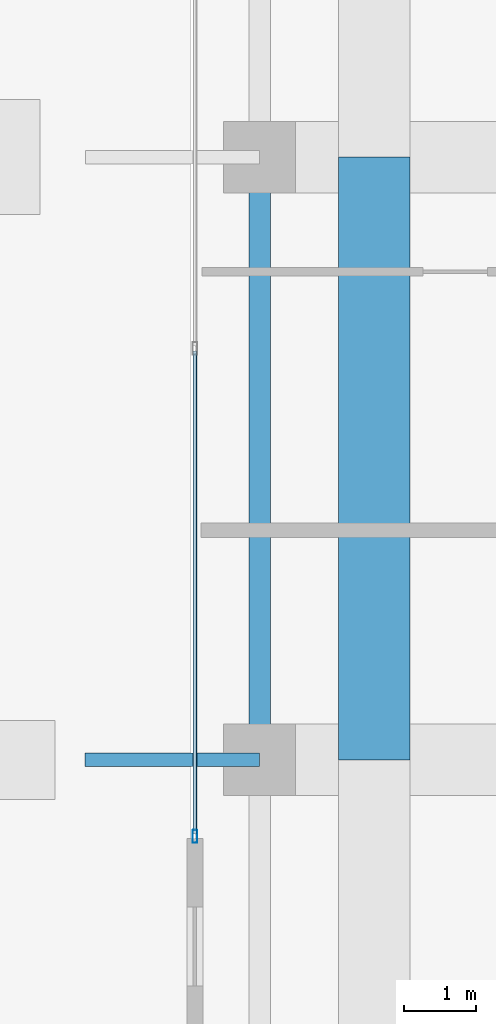
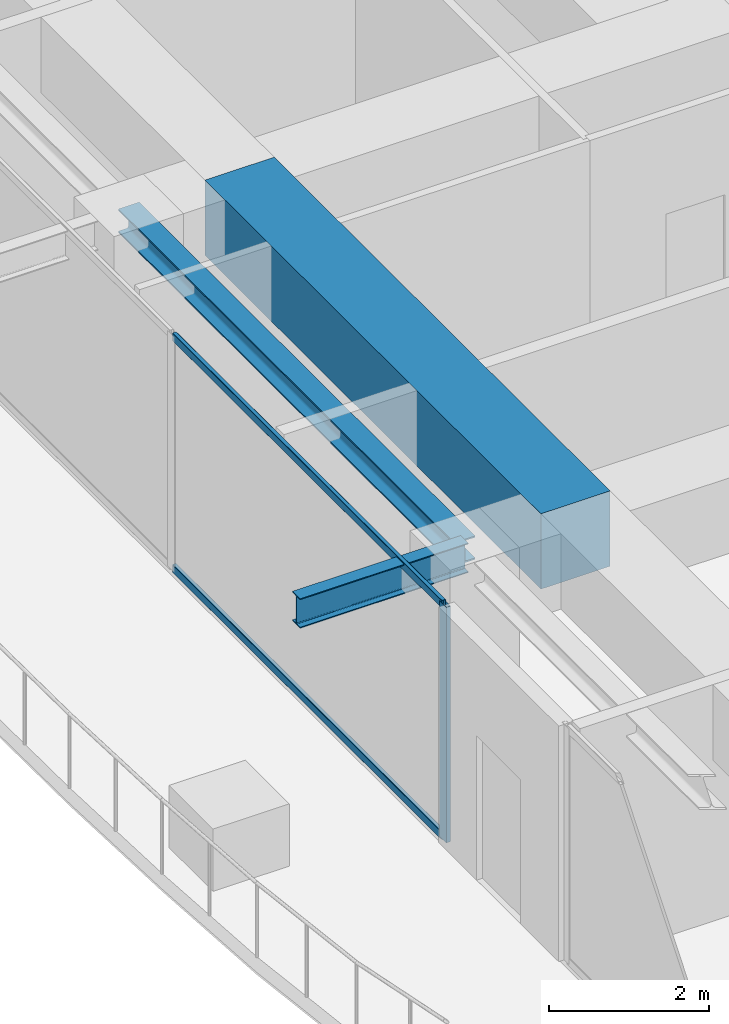
# One storey, part 9 of 40: 3 beams, 3 members, 1 element without a shape of its own.
"""IFC4 building model written with IfcOpenShell, lengths in metres."""

from ifc_helpers import new_model, si_unit, direction, frame, origin, origin_2d, place, context, subcontext, project, spatial, rectangle, hollow_rectangle, i_section, extrude, source, transform, mapped, material, layer, layer_set, material_profile, profile_set, type_object, element, aggregate, save


model = new_model("IFC4")

# Units and contexts
model_context = context("Model", 3, precision=1e-05, world=origin(), true_north=direction((0.0, 1.0)))
body_context = subcontext(model_context, "Body", "Model", "MODEL_VIEW")
ifc_project = project(units=[si_unit("LENGTHUNIT", "METRE"), si_unit("AREAUNIT", "SQUARE_METRE"), si_unit("VOLUMEUNIT", "CUBIC_METRE"), si_unit("PLANEANGLEUNIT", "RADIAN"), si_unit("MASSUNIT", "GRAM", prefix="KILO")], contexts=[model_context])

# Site, building, storey
site_placement = place(None, origin())
site = spatial("IfcSite", under=ifc_project, at=site_placement, CompositionType="ELEMENT")
building_placement = place(site_placement, origin())
building = spatial("IfcBuilding", under=site, at=building_placement, Name="Serunith Strait Residences", CompositionType="ELEMENT")
storey_placement = place(building_placement, frame((0.0, 0.0, 333.949951171875)))
storey = spatial("IfcBuildingStorey", under=building, at=storey_placement, Name="L83", CompositionType="ELEMENT", Elevation=333.949951171875)

# Beams
ifc_material_1 = material(Name="Concrete C80/95", Category="concrete")
ifc_material_profile_1 = material_profile(ifc_material_1, rectangle(XDim=1.0, YDim=1.14990234375, at=origin_2d()), Name="RC 1000x1150")
ifc_profile_set_1 = profile_set([ifc_material_profile_1], Name="Concrete C80/95")
beam_type_1 = type_object("IfcBeamType", Name="BM-XFER-1000x1150", PredefinedType="BEAM", material=ifc_profile_set_1)
shared_shape_1 = source(origin(), body_context, "Body", "SweptSolid", [
    extrude(rectangle(XDim=1.0, YDim=1.14990234375, at=origin_2d()), origin(), (0.0, 0.0, 1.0), 8.39990234375),
])
beam_1_placement = place(storey_placement, frame((11.699951171875, 29.39990234375, 3.03515625), z_axis=(0.0, -1.0, 0.0), x_axis=(1.0, 0.0, 0.0)))
element("IfcBeam", 1, at=beam_1_placement, inside=storey, type_object=beam_type_1, Name="L83 Flare Upper Ring Transfer Girder 14", PredefinedType="BEAM", context=body_context, shape_type="MappedRepresentation", body=[
    mapped(shared_shape_1, transform((0.0, 0.0, 0.0), scale=1.0)),
])
ifc_material_2 = material(Name="Steel S355J2", Category="steel")
ifc_material_profile_2 = material_profile(ifc_material_2, i_section(OverallWidth=0.300048828125, OverallDepth=0.360107421875, WebThickness=0.012451171875, FlangeThickness=0.0224609375, FilletRadius=0.027099609375, at=origin_2d()), Name="HEB 360")
ifc_profile_set_2 = profile_set([ifc_material_profile_2], Name="Steel S355J2")
beam_type_2 = type_object("IfcBeamType", Name="BM-HEB360", PredefinedType="BEAM", material=ifc_profile_set_2)
shared_shape_2 = source(origin(), body_context, "Body", "SweptSolid", [
    extrude(i_section(OverallWidth=0.300048828125, OverallDepth=0.360107421875, WebThickness=0.012451171875, FlangeThickness=0.0224609375, FilletRadius=0.027099609375, at=origin_2d()), origin(), (0.0, 0.0, 1.0), 8.39990234375),
])
beam_2_placement = place(storey_placement, frame((10.10009765625, 29.39990234375, 3.427001953125), z_axis=(0.0, -1.0, 0.0), x_axis=(1.0, 0.0, 0.0)))
element("IfcBeam", 2, at=beam_2_placement, inside=storey, type_object=beam_type_2, Name="L83 Perimeter Ring Beam 14", PredefinedType="BEAM", context=body_context, shape_type="MappedRepresentation", body=[
    mapped(shared_shape_2, transform((0.0, 0.0, 0.0), scale=1.0)),
])
ifc_material_profile_3 = material_profile(ifc_material_2, i_section(OverallWidth=0.18994140625, OverallDepth=0.449951171875, WebThickness=0.009521484375, FlangeThickness=0.0146484375, FilletRadius=0.02099609375, at=origin_2d()), Name="IPE 450")
ifc_profile_set_3 = profile_set([ifc_material_profile_3], Name="Steel S355J2")
beam_type_3 = type_object("IfcBeamType", Name="BM-IPE450", PredefinedType="JOIST", material=ifc_profile_set_3)
shared_shape_3 = source(origin(), body_context, "Body", "SweptSolid", [
    extrude(i_section(OverallWidth=0.18994140625, OverallDepth=0.449951171875, WebThickness=0.009521484375, FlangeThickness=0.0146484375, FilletRadius=0.02099609375, at=origin_2d()), origin(), (0.0, 0.0, 1.0), 2.43212890625),
])
beam_3_placement = place(storey_placement, frame((10.10009765625, 21.0, 3.382080078125), z_axis=(-1.0, 0.0, 0.0), x_axis=(0.0, -1.0, 0.0)))
element("IfcBeam", 3, at=beam_3_placement, inside=storey, type_object=beam_type_3, Name="L84 Cantilevered Balcony Rib TC-W2", PredefinedType="JOIST", context=body_context, shape_type="MappedRepresentation", body=[
    mapped(shared_shape_3, transform((0.0, 0.0, 0.0), scale=1.0)),
])

# Curtain wall, members
ifc_material_3 = material(Name="Brushed Stainless-Silver Aluminium", Category="aluminium")
ifc_layer = layer(ifc_material_3, 0.199951171875, Name="Brushed Stainless-Silver Aluminium")
ifc_layer_set = layer_set([ifc_layer], Name="Brushed Stainless-Silver Aluminium")
curtain_wall_type = type_object("IfcCurtainWallType", Name="CW-SYS5", PredefinedType="NOTDEFINED", material=ifc_layer_set)
curtain_wall_placement = place(storey_placement, origin())
curtain_wall = element("IfcCurtainWall", 4, at=curtain_wall_placement, inside=storey, type_object=curtain_wall_type, Name="L83 W Unitised Fritted Curtain Wall", PredefinedType="NOTDEFINED")
ifc_material_profile_4 = material_profile(ifc_material_3, hollow_rectangle(XDim=0.06005859375, YDim=0.1201171875, WallThickness=0.00341796875, InnerFilletRadius=0.00537109375, OuterFilletRadius=0.0087890625, at=origin_2d()), Name="ALU 120x60x3.5")
ifc_profile_set_4 = profile_set([ifc_material_profile_4], Name="Brushed Stainless-Silver Aluminium")
member_type_1 = type_object("IfcMemberType", Name="CW-SYS5-TRAN", PredefinedType="USERDEFINED", material=ifc_profile_set_4)
shared_shape_4 = source(origin(), body_context, "Body", "SweptSolid", [
    extrude(hollow_rectangle(XDim=0.06005859375, YDim=0.1201171875, WallThickness=0.00341796875, InnerFilletRadius=0.00537109375, OuterFilletRadius=0.0087890625, at=origin_2d()), origin(), (0.0, 0.0, 1.0), 6.73583984375),
])
member_1_placement = place(storey_placement, frame((9.199951171875, 26.700927734375, 0.030029296875), z_axis=(0.0, -1.0, 0.0), x_axis=(1.0, 0.0, 0.0)))
member_1 = element("IfcMember", 5, at=member_1_placement, type_object=member_type_1, Name="CW-5 transom 3.1", ObjectType="TRANSOM", PredefinedType="USERDEFINED", context=body_context, shape_type="MappedRepresentation", body=[
    mapped(shared_shape_4, transform((0.0, 0.0, 0.0), scale=1.0)),
])
member_2_placement = place(storey_placement, frame((9.199951171875, 26.700927734375, 3.56494140625), z_axis=(0.0, -1.0, 0.0), x_axis=(1.0, 0.0, 0.0)))
member_2 = element("IfcMember", 6, at=member_2_placement, type_object=member_type_1, Name="CW-5 transom 3.2", ObjectType="TRANSOM", PredefinedType="USERDEFINED", context=body_context, shape_type="MappedRepresentation", body=[
    mapped(shared_shape_4, transform((0.0, 0.0, 0.0), scale=1.0)),
])
ifc_material_profile_5 = material_profile(ifc_material_3, hollow_rectangle(XDim=0.06494140625, YDim=0.179931640625, WallThickness=0.00341796875, InnerFilletRadius=0.00537109375, OuterFilletRadius=0.0087890625, at=origin_2d()), Name="ALU 180x65x3.5")
ifc_profile_set_5 = profile_set([ifc_material_profile_5], Name="Brushed Stainless-Silver Aluminium")
member_type_2 = type_object("IfcMemberType", Name="CW-SYS5-MULL", PredefinedType="MULLION", material=ifc_profile_set_5)
shared_shape_5 = source(origin(), body_context, "Body", "SweptSolid", [
    extrude(hollow_rectangle(XDim=0.06494140625, YDim=0.179931640625, WallThickness=0.00341796875, InnerFilletRadius=0.00537109375, OuterFilletRadius=0.0087890625, at=origin_2d()), origin(), (0.0, 0.0, 1.0), 3.594970703125),
])
member_3_placement = place(storey_placement, frame((9.199951171875, 19.9326171875, 0.0), z_axis=(0.0, 0.0, 1.0), x_axis=(1.0, 0.0, 0.0)))
member_3 = element("IfcMember", 7, at=member_3_placement, type_object=member_type_2, Name="CW-5 mullion 4", PredefinedType="MULLION", context=body_context, shape_type="MappedRepresentation", body=[
    mapped(shared_shape_5, transform((0.0, 0.0, 0.0), scale=1.0)),
])
aggregate(curtain_wall, [member_3, member_1, member_2])

save(model, "model.ifc")
